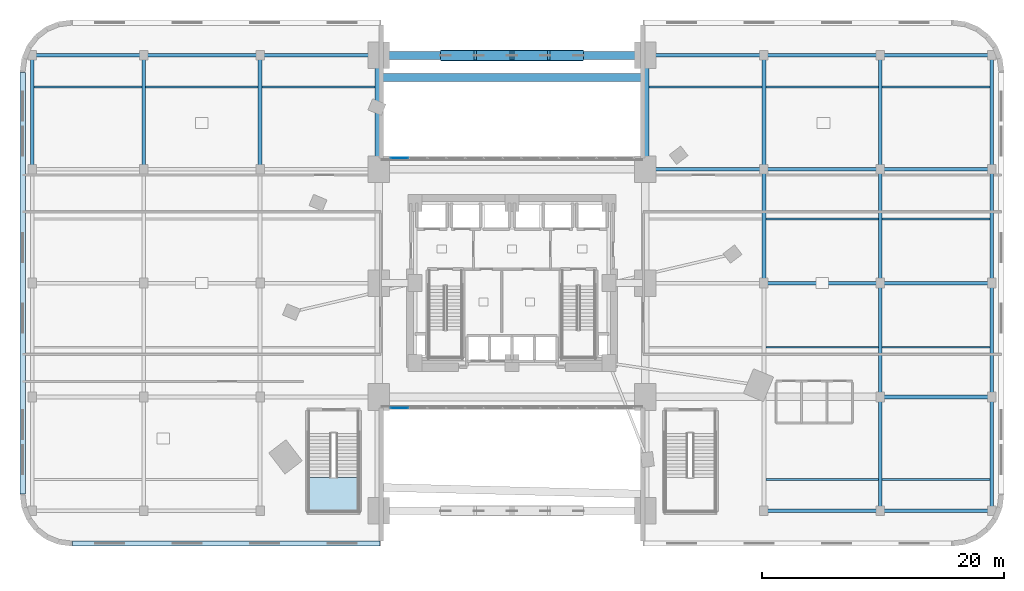
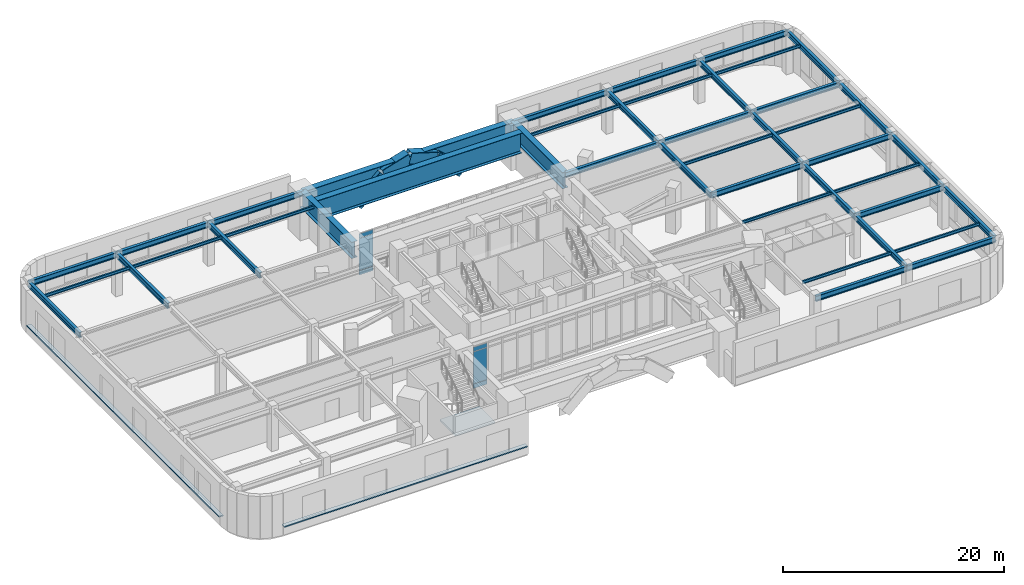
# One storey, part 15 of 25: 43 beams, 8 plates, 4 members, 1 slab, 3 elements without a shape of their own.
"""IFC4 building model written with IfcOpenShell, lengths in metres."""

from ifc_helpers import new_model, si_unit, direction, frame, origin, origin_2d, place, context, subcontext, project, spatial, polyline, rectangle, hollow_rectangle, i_section, outline, extrude, material, layer, layer_set, material_profile, profile_set, type_object, element, aggregate, save


model = new_model("IFC4")

# Units and contexts
model_context = context("Model", 3, precision=1e-05, world=origin(), true_north=direction((0.0, 1.0)))
body_context = subcontext(model_context, "Body", "Model", "MODEL_VIEW")
ifc_project = project(units=[si_unit("LENGTHUNIT", "METRE"), si_unit("AREAUNIT", "SQUARE_METRE"), si_unit("VOLUMEUNIT", "CUBIC_METRE"), si_unit("PLANEANGLEUNIT", "RADIAN"), si_unit("MASSUNIT", "GRAM", prefix="KILO")], contexts=[model_context])

# Site, building, storey
site_placement = place(None, origin())
site = spatial("IfcSite", under=ifc_project, at=site_placement, CompositionType="ELEMENT")
building_placement = place(site_placement, origin())
building = spatial("IfcBuilding", under=site, at=building_placement, Name="Ndelora Gate Hotel", CompositionType="ELEMENT")
storey_placement = place(building_placement, frame((0.0, 0.0, 11.0)))
storey = spatial("IfcBuildingStorey", under=building, at=storey_placement, Name="L02", CompositionType="ELEMENT", Elevation=11.0)

# Beams
ifc_material_1 = material(Name="Steel S355", Category="steel")
ifc_material_profile_1 = material_profile(ifc_material_1, i_section(OverallWidth=0.159912109375, OverallDepth=0.330078125, WebThickness=0.007568359375, FlangeThickness=0.011474609375, FilletRadius=0.01806640625, at=origin_2d()), Name="IPE 330")
ifc_profile_set_1 = profile_set([ifc_material_profile_1], Name="Steel S355")
beam_type_1 = type_object("IfcBeamType", Name="BM-JST-330", PredefinedType="JOIST", material=ifc_profile_set_1)
beam_1_placement = place(storey_placement, frame((20.949951171875, -16.199951171875, 4.4951171875), z_axis=(1.0, 0.0, 0.0), x_axis=(0.0, 1.0, 0.0)))
element("IfcBeam", 1, at=beam_1_placement, inside=storey, type_object=beam_type_1, Name="L02 Podium Composite Secondary Joist 6", PredefinedType="JOIST", context=body_context, shape_type="SweptSolid", body=[
    extrude(i_section(OverallWidth=0.159912109375, OverallDepth=0.330078125, WebThickness=0.007568359375, FlangeThickness=0.011474609375, FilletRadius=0.01806640625, at=origin_2d()), origin(), (0.0, 0.0, 1.0), 9.300048828125),
])
beam_2_placement = place(storey_placement, frame((30.550048828125, -16.199951171875, 4.4951171875), z_axis=(1.0, 0.0, 0.0), x_axis=(0.0, 1.0, 0.0)))
element("IfcBeam", 2, at=beam_2_placement, inside=storey, type_object=beam_type_1, Name="L02 Podium Composite Secondary Joist 7", PredefinedType="JOIST", context=body_context, shape_type="SweptSolid", body=[
    extrude(i_section(OverallWidth=0.159912109375, OverallDepth=0.330078125, WebThickness=0.007568359375, FlangeThickness=0.011474609375, FilletRadius=0.01806640625, at=origin_2d()), origin(), (0.0, 0.0, 1.0), 8.89990234375),
])
beam_3_placement = place(storey_placement, frame((20.949951171875, -5.300048828125, 4.4951171875), z_axis=(1.0, 0.0, 0.0), x_axis=(0.0, 1.0, 0.0)))
element("IfcBeam", 3, at=beam_3_placement, inside=storey, type_object=beam_type_1, Name="L02 Podium Composite Secondary Joist 6", PredefinedType="JOIST", context=body_context, shape_type="SweptSolid", body=[
    extrude(i_section(OverallWidth=0.159912109375, OverallDepth=0.330078125, WebThickness=0.007568359375, FlangeThickness=0.011474609375, FilletRadius=0.01806640625, at=origin_2d()), origin(), (0.0, 0.0, 1.0), 9.300048828125),
])
beam_4_placement = place(storey_placement, frame((30.550048828125, -5.300048828125, 4.4951171875), z_axis=(1.0, 0.0, 0.0), x_axis=(0.0, 1.0, 0.0)))
element("IfcBeam", 4, at=beam_4_placement, inside=storey, type_object=beam_type_1, Name="L02 Podium Composite Secondary Joist 7", PredefinedType="JOIST", context=body_context, shape_type="SweptSolid", body=[
    extrude(i_section(OverallWidth=0.159912109375, OverallDepth=0.330078125, WebThickness=0.007568359375, FlangeThickness=0.011474609375, FilletRadius=0.01806640625, at=origin_2d()), origin(), (0.0, 0.0, 1.0), 8.89990234375),
])
beam_5_placement = place(storey_placement, frame((20.949951171875, 5.300048828125, 4.4951171875), z_axis=(1.0, 0.0, 0.0), x_axis=(0.0, 1.0, 0.0)))
element("IfcBeam", 5, at=beam_5_placement, inside=storey, type_object=beam_type_1, Name="L02 Podium Composite Secondary Joist 6", PredefinedType="JOIST", context=body_context, shape_type="SweptSolid", body=[
    extrude(i_section(OverallWidth=0.159912109375, OverallDepth=0.330078125, WebThickness=0.007568359375, FlangeThickness=0.011474609375, FilletRadius=0.01806640625, at=origin_2d()), origin(), (0.0, 0.0, 1.0), 9.300048828125),
])
for number, where, z_axis, x_axis, name in (
    (6, (30.550048828125, 5.300048828125, 4.4951171875), (1.0, 0.0, 0.0), (0.0, 1.0, 0.0), "L02 Podium Composite Secondary Joist 7"),
    (7, (-39.449951171875, 16.199951171875, 4.4951171875), (1.0, 0.0, 0.0), (0.0, 1.0, 0.0), "L02 Podium Composite Secondary Joist 1"),
):
    element("IfcBeam", number, at=place(storey_placement, frame(where, z_axis=z_axis, x_axis=x_axis)), inside=storey, type_object=beam_type_1, Name=name, PredefinedType="JOIST", context=body_context, shape_type="SweptSolid", body=[
        extrude(i_section(OverallWidth=0.159912109375, OverallDepth=0.330078125, WebThickness=0.007568359375, FlangeThickness=0.011474609375, FilletRadius=0.01806640625, at=origin_2d()), origin(), (0.0, 0.0, 1.0), 8.89990234375),
    ])
beam_6_placement = place(storey_placement, frame((-30.25, 16.199951171875, 4.4951171875), z_axis=(1.0, 0.0, 0.0), x_axis=(0.0, 1.0, 0.0)))
element("IfcBeam", 8, at=beam_6_placement, inside=storey, type_object=beam_type_1, Name="L02 Podium Composite Secondary Joist 2", PredefinedType="JOIST", context=body_context, shape_type="SweptSolid", body=[
    extrude(i_section(OverallWidth=0.159912109375, OverallDepth=0.330078125, WebThickness=0.007568359375, FlangeThickness=0.011474609375, FilletRadius=0.01806640625, at=origin_2d()), origin(), (0.0, 0.0, 1.0), 9.300048828125),
])
for number, where, z_axis, x_axis, name in (
    (9, (-20.64990234375, 16.199951171875, 4.4951171875), (1.0, 0.0, 0.0), (0.0, 1.0, 0.0), "L02 Podium Composite Secondary Joist 3"),
    (10, (11.300048828125, 16.199951171875, 4.4951171875), (1.0, 0.0, 0.0), (0.0, 1.0, 0.0), "L02 Podium Composite Secondary Joist 5"),
):
    element("IfcBeam", number, at=place(storey_placement, frame(where, z_axis=z_axis, x_axis=x_axis)), inside=storey, type_object=beam_type_1, Name=name, PredefinedType="JOIST", context=body_context, shape_type="SweptSolid", body=[
        extrude(i_section(OverallWidth=0.159912109375, OverallDepth=0.330078125, WebThickness=0.007568359375, FlangeThickness=0.011474609375, FilletRadius=0.01806640625, at=origin_2d()), origin(), (0.0, 0.0, 1.0), 9.349853515625),
    ])
beam_7_placement = place(storey_placement, frame((20.949951171875, 16.199951171875, 4.4951171875), z_axis=(1.0, 0.0, 0.0), x_axis=(0.0, 1.0, 0.0)))
element("IfcBeam", 11, at=beam_7_placement, inside=storey, type_object=beam_type_1, Name="L02 Podium Composite Secondary Joist 6", PredefinedType="JOIST", context=body_context, shape_type="SweptSolid", body=[
    extrude(i_section(OverallWidth=0.159912109375, OverallDepth=0.330078125, WebThickness=0.007568359375, FlangeThickness=0.011474609375, FilletRadius=0.01806640625, at=origin_2d()), origin(), (0.0, 0.0, 1.0), 9.300048828125),
])
beam_8_placement = place(storey_placement, frame((30.550048828125, 16.199951171875, 4.4951171875), z_axis=(1.0, 0.0, 0.0), x_axis=(0.0, 1.0, 0.0)))
element("IfcBeam", 12, at=beam_8_placement, inside=storey, type_object=beam_type_1, Name="L02 Podium Composite Secondary Joist 7", PredefinedType="JOIST", context=body_context, shape_type="SweptSolid", body=[
    extrude(i_section(OverallWidth=0.159912109375, OverallDepth=0.330078125, WebThickness=0.007568359375, FlangeThickness=0.011474609375, FilletRadius=0.01806640625, at=origin_2d()), origin(), (0.0, 0.0, 1.0), 8.89990234375),
])
ifc_material_profile_2 = material_profile(ifc_material_1, i_section(OverallWidth=0.300048828125, OverallDepth=0.60009765625, WebThickness=0.015380859375, FlangeThickness=0.030029296875, FilletRadius=0.027099609375, at=origin_2d()), Name="HEB 600")
ifc_profile_set_2 = profile_set([ifc_material_profile_2], Name="Steel S355")
beam_type_2 = type_object("IfcBeamType", Name="BM-POD-600", PredefinedType="BEAM", material=ifc_profile_set_2)
for number, where, z_axis, x_axis, name in (
    (13, (-39.60009765625, 9.39990234375, 4.360107421875), (0.0, 1.0, 0.0), (-1.0, 0.0, 0.0), "L02 Podium Longitudinal Girder X=-39.6"),
    (14, (-30.39990234375, 9.39990234375, 4.360107421875), (0.0, 1.0, 0.0), (-1.0, 0.0, 0.0), "L02 Podium Longitudinal Girder X=-30.4"),
    (15, (-20.800048828125, 9.39990234375, 4.360107421875), (0.0, 1.0, 0.0), (-1.0, 0.0, 0.0), "L02 Podium Longitudinal Girder X=-20.8"),
):
    element("IfcBeam", number, at=place(storey_placement, frame(where, z_axis=z_axis, x_axis=x_axis)), inside=storey, type_object=beam_type_2, Name=name, PredefinedType="BEAM", context=body_context, shape_type="SweptSolid", body=[
        extrude(i_section(OverallWidth=0.300048828125, OverallDepth=0.60009765625, WebThickness=0.015380859375, FlangeThickness=0.030029296875, FilletRadius=0.027099609375, at=origin_2d()), origin(), (0.0, 0.0, 1.0), 9.400146484375),
    ])
beam_9_placement = place(storey_placement, frame((20.800048828125, 0.0, 4.360107421875), z_axis=(0.0, 1.0, 0.0), x_axis=(-1.0, 0.0, 0.0)))
element("IfcBeam", 16, at=beam_9_placement, inside=storey, type_object=beam_type_2, Name="L02 Podium Longitudinal Girder X=+20.8", PredefinedType="BEAM", context=body_context, shape_type="SweptSolid", body=[
    extrude(i_section(OverallWidth=0.300048828125, OverallDepth=0.60009765625, WebThickness=0.015380859375, FlangeThickness=0.030029296875, FilletRadius=0.027099609375, at=origin_2d()), origin(), (0.0, 0.0, 1.0), 9.39990234375),
])
for number, where, z_axis, x_axis, name in (
    (17, (20.800048828125, 9.39990234375, 4.360107421875), (0.0, 1.0, 0.0), (-1.0, 0.0, 0.0), "L02 Podium Longitudinal Girder X=+20.8"),
    (18, (30.39990234375, -18.800048828125, 4.360107421875), (0.0, 1.0, 0.0), (-1.0, 0.0, 0.0), "L02 Podium Longitudinal Girder X=+30.4"),
):
    element("IfcBeam", number, at=place(storey_placement, frame(where, z_axis=z_axis, x_axis=x_axis)), inside=storey, type_object=beam_type_2, Name=name, PredefinedType="BEAM", context=body_context, shape_type="SweptSolid", body=[
        extrude(i_section(OverallWidth=0.300048828125, OverallDepth=0.60009765625, WebThickness=0.015380859375, FlangeThickness=0.030029296875, FilletRadius=0.027099609375, at=origin_2d()), origin(), (0.0, 0.0, 1.0), 9.400146484375),
    ])
for number, where, z_axis, x_axis, name in (
    (19, (30.39990234375, -9.39990234375, 4.360107421875), (0.0, 1.0, 0.0), (-1.0, 0.0, 0.0), "L02 Podium Longitudinal Girder X=+30.4"),
    (20, (30.39990234375, 0.0, 4.360107421875), (0.0, 1.0, 0.0), (-1.0, 0.0, 0.0), "L02 Podium Longitudinal Girder X=+30.4"),
):
    element("IfcBeam", number, at=place(storey_placement, frame(where, z_axis=z_axis, x_axis=x_axis)), inside=storey, type_object=beam_type_2, Name=name, PredefinedType="BEAM", context=body_context, shape_type="SweptSolid", body=[
        extrude(i_section(OverallWidth=0.300048828125, OverallDepth=0.60009765625, WebThickness=0.015380859375, FlangeThickness=0.030029296875, FilletRadius=0.027099609375, at=origin_2d()), origin(), (0.0, 0.0, 1.0), 9.39990234375),
    ])
for number, where, z_axis, x_axis, name in (
    (21, (30.39990234375, 9.39990234375, 4.360107421875), (0.0, 1.0, 0.0), (-1.0, 0.0, 0.0), "L02 Podium Longitudinal Girder X=+30.4"),
    (22, (39.60009765625, -18.800048828125, 4.360107421875), (0.0, 1.0, 0.0), (-1.0, 0.0, 0.0), "L02 Podium Longitudinal Girder X=+39.6"),
):
    element("IfcBeam", number, at=place(storey_placement, frame(where, z_axis=z_axis, x_axis=x_axis)), inside=storey, type_object=beam_type_2, Name=name, PredefinedType="BEAM", context=body_context, shape_type="SweptSolid", body=[
        extrude(i_section(OverallWidth=0.300048828125, OverallDepth=0.60009765625, WebThickness=0.015380859375, FlangeThickness=0.030029296875, FilletRadius=0.027099609375, at=origin_2d()), origin(), (0.0, 0.0, 1.0), 9.400146484375),
    ])
for number, where, z_axis, x_axis, name in (
    (23, (39.60009765625, -9.39990234375, 4.360107421875), (0.0, 1.0, 0.0), (-1.0, 0.0, 0.0), "L02 Podium Longitudinal Girder X=+39.6"),
    (24, (39.60009765625, 0.0, 4.360107421875), (0.0, 1.0, 0.0), (-1.0, 0.0, 0.0), "L02 Podium Longitudinal Girder X=+39.6"),
):
    element("IfcBeam", number, at=place(storey_placement, frame(where, z_axis=z_axis, x_axis=x_axis)), inside=storey, type_object=beam_type_2, Name=name, PredefinedType="BEAM", context=body_context, shape_type="SweptSolid", body=[
        extrude(i_section(OverallWidth=0.300048828125, OverallDepth=0.60009765625, WebThickness=0.015380859375, FlangeThickness=0.030029296875, FilletRadius=0.027099609375, at=origin_2d()), origin(), (0.0, 0.0, 1.0), 9.39990234375),
    ])
beam_10_placement = place(storey_placement, frame((39.60009765625, 9.39990234375, 4.360107421875), z_axis=(0.0, 1.0, 0.0), x_axis=(-1.0, 0.0, 0.0)))
element("IfcBeam", 25, at=beam_10_placement, inside=storey, type_object=beam_type_2, Name="L02 Podium Longitudinal Girder X=+39.6", PredefinedType="BEAM", context=body_context, shape_type="SweptSolid", body=[
    extrude(i_section(OverallWidth=0.300048828125, OverallDepth=0.60009765625, WebThickness=0.015380859375, FlangeThickness=0.030029296875, FilletRadius=0.027099609375, at=origin_2d()), origin(), (0.0, 0.0, 1.0), 9.400146484375),
])
beam_11_placement = place(storey_placement, frame((20.800048828125, -18.800048828125, 4.360107421875), z_axis=(1.0, 0.0, 0.0), x_axis=(0.0, 1.0, 0.0)))
element("IfcBeam", 26, at=beam_11_placement, inside=storey, type_object=beam_type_2, Name="L02 Podium Transverse Girder Y=-18.8", PredefinedType="BEAM", context=body_context, shape_type="SweptSolid", body=[
    extrude(i_section(OverallWidth=0.300048828125, OverallDepth=0.60009765625, WebThickness=0.015380859375, FlangeThickness=0.030029296875, FilletRadius=0.027099609375, at=origin_2d()), origin(), (0.0, 0.0, 1.0), 9.599853515625),
])
for number, where, z_axis, x_axis, name in (
    (27, (30.39990234375, -18.800048828125, 4.360107421875), (1.0, 0.0, 0.0), (0.0, 1.0, 0.0), "L02 Podium Transverse Girder Y=-18.8"),
    (28, (30.39990234375, -9.39990234375, 4.360107421875), (1.0, 0.0, 0.0), (0.0, 1.0, 0.0), "L02 Podium Transverse Girder Y=-9.4"),
):
    element("IfcBeam", number, at=place(storey_placement, frame(where, z_axis=z_axis, x_axis=x_axis)), inside=storey, type_object=beam_type_2, Name=name, PredefinedType="BEAM", context=body_context, shape_type="SweptSolid", body=[
        extrude(i_section(OverallWidth=0.300048828125, OverallDepth=0.60009765625, WebThickness=0.015380859375, FlangeThickness=0.030029296875, FilletRadius=0.027099609375, at=origin_2d()), origin(), (0.0, 0.0, 1.0), 9.2001953125),
    ])
beam_12_placement = place(storey_placement, frame((20.800048828125, 0.0, 4.360107421875), z_axis=(1.0, 0.0, 0.0), x_axis=(0.0, 1.0, 0.0)))
element("IfcBeam", 29, at=beam_12_placement, inside=storey, type_object=beam_type_2, Name="L02 Podium Transverse Girder Y=+0.0", PredefinedType="BEAM", context=body_context, shape_type="SweptSolid", body=[
    extrude(i_section(OverallWidth=0.300048828125, OverallDepth=0.60009765625, WebThickness=0.015380859375, FlangeThickness=0.030029296875, FilletRadius=0.027099609375, at=origin_2d()), origin(), (0.0, 0.0, 1.0), 9.599853515625),
])
beam_13_placement = place(storey_placement, frame((30.39990234375, 0.0, 4.360107421875), z_axis=(1.0, 0.0, 0.0), x_axis=(0.0, 1.0, 0.0)))
element("IfcBeam", 30, at=beam_13_placement, inside=storey, type_object=beam_type_2, Name="L02 Podium Transverse Girder Y=+0.0", PredefinedType="BEAM", context=body_context, shape_type="SweptSolid", body=[
    extrude(i_section(OverallWidth=0.300048828125, OverallDepth=0.60009765625, WebThickness=0.015380859375, FlangeThickness=0.030029296875, FilletRadius=0.027099609375, at=origin_2d()), origin(), (0.0, 0.0, 1.0), 9.2001953125),
])
beam_14_placement = place(storey_placement, frame((11.0, 9.39990234375, 4.360107421875), z_axis=(1.0, 0.0, 0.0), x_axis=(0.0, 1.0, 0.0)))
element("IfcBeam", 31, at=beam_14_placement, inside=storey, type_object=beam_type_2, Name="L02 Podium Transverse Girder Y=+9.4", PredefinedType="BEAM", context=body_context, shape_type="SweptSolid", body=[
    extrude(i_section(OverallWidth=0.300048828125, OverallDepth=0.60009765625, WebThickness=0.015380859375, FlangeThickness=0.030029296875, FilletRadius=0.027099609375, at=origin_2d()), origin(), (0.0, 0.0, 1.0), 9.800048828125),
])
beam_15_placement = place(storey_placement, frame((20.800048828125, 9.39990234375, 4.360107421875), z_axis=(1.0, 0.0, 0.0), x_axis=(0.0, 1.0, 0.0)))
element("IfcBeam", 32, at=beam_15_placement, inside=storey, type_object=beam_type_2, Name="L02 Podium Transverse Girder Y=+9.4", PredefinedType="BEAM", context=body_context, shape_type="SweptSolid", body=[
    extrude(i_section(OverallWidth=0.300048828125, OverallDepth=0.60009765625, WebThickness=0.015380859375, FlangeThickness=0.030029296875, FilletRadius=0.027099609375, at=origin_2d()), origin(), (0.0, 0.0, 1.0), 9.599853515625),
])
for number, where, z_axis, x_axis, name in (
    (33, (30.39990234375, 9.39990234375, 4.360107421875), (1.0, 0.0, 0.0), (0.0, 1.0, 0.0), "L02 Podium Transverse Girder Y=+9.4"),
    (34, (-39.60009765625, 18.800048828125, 4.360107421875), (1.0, 0.0, 0.0), (0.0, 1.0, 0.0), "L02 Podium Transverse Girder Y=+18.8"),
):
    element("IfcBeam", number, at=place(storey_placement, frame(where, z_axis=z_axis, x_axis=x_axis)), inside=storey, type_object=beam_type_2, Name=name, PredefinedType="BEAM", context=body_context, shape_type="SweptSolid", body=[
        extrude(i_section(OverallWidth=0.300048828125, OverallDepth=0.60009765625, WebThickness=0.015380859375, FlangeThickness=0.030029296875, FilletRadius=0.027099609375, at=origin_2d()), origin(), (0.0, 0.0, 1.0), 9.2001953125),
    ])
beam_16_placement = place(storey_placement, frame((-30.39990234375, 18.800048828125, 4.360107421875), z_axis=(1.0, 0.0, 0.0), x_axis=(0.0, 1.0, 0.0)))
element("IfcBeam", 35, at=beam_16_placement, inside=storey, type_object=beam_type_2, Name="L02 Podium Transverse Girder Y=+18.8", PredefinedType="BEAM", context=body_context, shape_type="SweptSolid", body=[
    extrude(i_section(OverallWidth=0.300048828125, OverallDepth=0.60009765625, WebThickness=0.015380859375, FlangeThickness=0.030029296875, FilletRadius=0.027099609375, at=origin_2d()), origin(), (0.0, 0.0, 1.0), 9.599853515625),
])
for number, where, z_axis, x_axis, name in (
    (36, (-20.800048828125, 18.800048828125, 4.360107421875), (1.0, 0.0, 0.0), (0.0, 1.0, 0.0), "L02 Podium Transverse Girder Y=+18.8"),
    (37, (11.0, 18.800048828125, 4.360107421875), (1.0, 0.0, 0.0), (0.0, 1.0, 0.0), "L02 Podium Transverse Girder Y=+18.8"),
):
    element("IfcBeam", number, at=place(storey_placement, frame(where, z_axis=z_axis, x_axis=x_axis)), inside=storey, type_object=beam_type_2, Name=name, PredefinedType="BEAM", context=body_context, shape_type="SweptSolid", body=[
        extrude(i_section(OverallWidth=0.300048828125, OverallDepth=0.60009765625, WebThickness=0.015380859375, FlangeThickness=0.030029296875, FilletRadius=0.027099609375, at=origin_2d()), origin(), (0.0, 0.0, 1.0), 9.800048828125),
    ])
beam_17_placement = place(storey_placement, frame((20.800048828125, 18.800048828125, 4.360107421875), z_axis=(1.0, 0.0, 0.0), x_axis=(0.0, 1.0, 0.0)))
element("IfcBeam", 38, at=beam_17_placement, inside=storey, type_object=beam_type_2, Name="L02 Podium Transverse Girder Y=+18.8", PredefinedType="BEAM", context=body_context, shape_type="SweptSolid", body=[
    extrude(i_section(OverallWidth=0.300048828125, OverallDepth=0.60009765625, WebThickness=0.015380859375, FlangeThickness=0.030029296875, FilletRadius=0.027099609375, at=origin_2d()), origin(), (0.0, 0.0, 1.0), 9.599853515625),
])
beam_18_placement = place(storey_placement, frame((30.39990234375, 18.800048828125, 4.360107421875), z_axis=(1.0, 0.0, 0.0), x_axis=(0.0, 1.0, 0.0)))
element("IfcBeam", 39, at=beam_18_placement, inside=storey, type_object=beam_type_2, Name="L02 Podium Transverse Girder Y=+18.8", PredefinedType="BEAM", context=body_context, shape_type="SweptSolid", body=[
    extrude(i_section(OverallWidth=0.300048828125, OverallDepth=0.60009765625, WebThickness=0.015380859375, FlangeThickness=0.030029296875, FilletRadius=0.027099609375, at=origin_2d()), origin(), (0.0, 0.0, 1.0), 9.2001953125),
])
ifc_material_2 = material(Name="Steel S460", Category="steel")
ifc_material_profile_3 = material_profile(ifc_material_2, i_section(OverallWidth=0.60009765625, OverallDepth=1.800048828125, WebThickness=0.028076171875, FlangeThickness=0.0400390625, FilletRadius=0.02392578125, at=origin_2d()), Name="PG 1800x600x40")
ifc_profile_set_3 = profile_set([ifc_material_profile_3], Name="Steel S460")
beam_type_3 = type_object("IfcBeamType", Name="BM-TR-1800", PredefinedType="BEAM", material=ifc_profile_set_3)
for number, where, z_axis, x_axis, name in (
    (40, (-11.0, 9.39990234375, 3.760009765625), (0.0, 1.0, 0.0), (-1.0, 0.0, 0.0), "L02 Podium Longitudinal Girder X=-11.0"),
    (41, (11.0, 9.39990234375, 3.760009765625), (0.0, 1.0, 0.0), (-1.0, 0.0, 0.0), "L02 Podium Longitudinal Girder X=+11.0"),
):
    element("IfcBeam", number, at=place(storey_placement, frame(where, z_axis=z_axis, x_axis=x_axis)), inside=storey, type_object=beam_type_3, Name=name, PredefinedType="BEAM", context=body_context, shape_type="SweptSolid", body=[
        extrude(i_section(OverallWidth=0.60009765625, OverallDepth=1.800048828125, WebThickness=0.028076171875, FlangeThickness=0.0400390625, FilletRadius=0.02392578125, at=origin_2d()), origin(), (0.0, 0.0, 1.0), 9.400146484375),
    ])
ifc_material_profile_4 = material_profile(ifc_material_2, i_section(OverallWidth=0.64990234375, OverallDepth=2.199951171875, WebThickness=0.030029296875, FlangeThickness=0.0400390625, FilletRadius=0.02392578125, at=origin_2d()), Name="PG 2200x650x40")
ifc_profile_set_4 = profile_set([ifc_material_profile_4], Name="Steel S460")
beam_type_4 = type_object("IfcBeamType", Name="BM-TR-2200", PredefinedType="BEAM", material=ifc_profile_set_4)
beam_19_placement = place(storey_placement, frame((-10.699951171875, 16.96630859375, 3.56005859375), z_axis=(1.0, 0.0, 0.0), x_axis=(0.0, 1.0, 0.0)))
element("IfcBeam", 42, at=beam_19_placement, inside=storey, type_object=beam_type_4, Name="L02 Portal Arch North Tower Root Transfer Girder", PredefinedType="BEAM", context=body_context, shape_type="SweptSolid", body=[
    extrude(i_section(OverallWidth=0.64990234375, OverallDepth=2.199951171875, WebThickness=0.030029296875, FlangeThickness=0.0400390625, FilletRadius=0.02392578125, at=origin_2d()), origin(), (0.0, 0.0, 1.0), 21.39990234375),
])
beam_20_placement = place(storey_placement, frame((-11.0, 18.800048828125, 3.56005859375), z_axis=(1.0, 0.0, 0.0), x_axis=(0.0, 1.0, 0.0)))
element("IfcBeam", 43, at=beam_20_placement, inside=storey, type_object=beam_type_4, Name="L02 structural beam TG-0", PredefinedType="BEAM", context=body_context, shape_type="SweptSolid", body=[
    extrude(i_section(OverallWidth=0.64990234375, OverallDepth=2.199951171875, WebThickness=0.030029296875, FlangeThickness=0.0400390625, FilletRadius=0.02392578125, at=origin_2d()), origin(), (0.0, 0.0, 1.0), 22.0),
])

# Members
ifc_material_profile_5 = material_profile(ifc_material_2, hollow_rectangle(XDim=0.89990234375, YDim=1.199951171875, WallThickness=0.035888671875, InnerFilletRadius=0.035888671875, OuterFilletRadius=0.072021484375, at=origin_2d()), Name="BOX 1200x900x36")
ifc_profile_set_5 = profile_set([ifc_material_profile_5], Name="Steel S460")
member_type = type_object("IfcMemberType", Name="MB-ARCH-RIB2", PredefinedType="CHORD", material=ifc_profile_set_5)
member_1_placement = place(storey_placement, frame((-5.5, 18.800048828125, 1.175048828125), z_axis=(0.740790573247, 0.0, 0.671736054257), x_axis=(0.0, 1.0, 0.0)))
element("IfcMember", 44, at=member_1_placement, inside=storey, type_object=member_type, Name="Portal Arch Parabolic Rib N-3", PredefinedType="CHORD", context=body_context, shape_type="SweptSolid", body=[
    extrude(hollow_rectangle(XDim=0.89990234375, YDim=1.199951171875, WallThickness=0.035888671875, InnerFilletRadius=0.035888671875, OuterFilletRadius=0.072021484375, at=origin_2d()), origin(), (0.0, 0.0, 1.0), 3.712158203125),
])
for number, where, z_axis, x_axis, name in (
    (45, (-2.75, 18.800048828125, 3.668701171875), (0.957220733393, 0.0, 0.289358717792), (0.0, 1.0, 0.0), "Portal Arch Parabolic Rib N-4"),
    (46, (0.0, 18.800048828125, 4.5), (0.957220733393, 0.0, -0.289358717792), (0.0, 1.0, 0.0), "Portal Arch Parabolic Rib N-5"),
):
    element("IfcMember", number, at=place(storey_placement, frame(where, z_axis=z_axis, x_axis=x_axis)), inside=storey, type_object=member_type, Name=name, PredefinedType="CHORD", context=body_context, shape_type="SweptSolid", body=[
        extrude(hollow_rectangle(XDim=0.89990234375, YDim=1.199951171875, WallThickness=0.035888671875, InnerFilletRadius=0.035888671875, OuterFilletRadius=0.072021484375, at=origin_2d()), origin(), (0.0, 0.0, 1.0), 2.872802734375),
    ])
member_2_placement = place(storey_placement, frame((2.75, 18.800048828125, 3.668701171875), z_axis=(0.740790573247, 0.0, -0.671736054257), x_axis=(0.0, 1.0, 0.0)))
element("IfcMember", 47, at=member_2_placement, inside=storey, type_object=member_type, Name="Portal Arch Parabolic Rib N-6", PredefinedType="CHORD", context=body_context, shape_type="SweptSolid", body=[
    extrude(hollow_rectangle(XDim=0.89990234375, YDim=1.199951171875, WallThickness=0.035888671875, InnerFilletRadius=0.035888671875, OuterFilletRadius=0.072021484375, at=origin_2d()), origin(), (0.0, 0.0, 1.0), 3.712158203125),
])

# Curtain wall, plates
ifc_material_3 = material(Name="Bronze Anodised Unitised Aluminium and Low-E Glass", Category="aluminium")
ifc_layer_1 = layer(ifc_material_3, 0.239990234375)
ifc_layer_set_1 = layer_set([ifc_layer_1], Name="Bronze Anodised Unitised Aluminium and Low-E Glass")
curtain_wall_type = type_object("IfcCurtainWallType", Name="CW-SYS-1", PredefinedType="NOTDEFINED", material=ifc_layer_set_1)
curtain_wall_1_placement = place(storey_placement, origin())
curtain_wall_1 = element("IfcCurtainWall", 48, at=curtain_wall_1_placement, inside=storey, type_object=curtain_wall_type, Name="L02 South Portal Arch Concourse Curtain Wall CW1", PredefinedType="NOTDEFINED")
ifc_material_4 = material(Name="Solar-Control Low-E Insulated Glazing", Category="glass")
ifc_layer_2 = layer(ifc_material_4, 0.048095703125)
ifc_layer_set_2 = layer_set([ifc_layer_2], Name="Solar-Control Low-E Insulated Glazing")
plate_type_1 = type_object("IfcPlateType", Name="PL-CW-GLZ36", PredefinedType="CURTAIN_PANEL", material=ifc_layer_set_2)
plate_1_placement = place(storey_placement, frame((-9.287109375, -10.320068359375, 0.05908203125), z_axis=(0.0, 0.0, 1.0), x_axis=(1.0, 0.0, 0.0)))
plate_1 = element("IfcPlate", 49, at=plate_1_placement, type_object=plate_type_1, Name="CW1 panel 1.1", PredefinedType="CURTAIN_PANEL", context=body_context, shape_type="SweptSolid", body=[
    extrude(rectangle(XDim=1.457763671875, YDim=0.048095703125, at=origin_2d()), origin(), (0.0, 0.0, 1.0), 0.464599609375),
])
plate_2_placement = place(storey_placement, frame((-9.287109375, -10.320068359375, 0.57666015625), z_axis=(0.0, 0.0, 1.0), x_axis=(1.0, 0.0, 0.0)))
plate_2 = element("IfcPlate", 50, at=plate_2_placement, type_object=plate_type_1, Name="CW1 panel 1.2", PredefinedType="CURTAIN_PANEL", context=body_context, shape_type="SweptSolid", body=[
    extrude(rectangle(XDim=1.457763671875, YDim=0.048095703125, at=origin_2d()), origin(), (0.0, 0.0, 1.0), 3.507080078125),
])
plate_3_placement = place(storey_placement, frame((-9.287109375, -10.320068359375, 4.13623046875), z_axis=(0.0, 0.0, 1.0), x_axis=(1.0, 0.0, 0.0)))
plate_3 = element("IfcPlate", 51, at=plate_3_placement, type_object=plate_type_1, Name="CW1 panel 1.3", PredefinedType="CURTAIN_PANEL", context=body_context, shape_type="SweptSolid", body=[
    extrude(rectangle(XDim=1.457763671875, YDim=0.048095703125, at=origin_2d()), origin(), (0.0, 0.0, 1.0), 0.464599609375),
])
aggregate(curtain_wall_1, [plate_1, plate_2, plate_3])

curtain_wall_2_placement = place(storey_placement, origin())
curtain_wall_2 = element("IfcCurtainWall", 52, at=curtain_wall_2_placement, inside=storey, type_object=curtain_wall_type, Name="L02 North Portal Arch Concourse Curtain Wall CW1", PredefinedType="NOTDEFINED")
plate_4_placement = place(storey_placement, frame((-9.287109375, 10.320068359375, 0.05908203125), z_axis=(0.0, 0.0, 1.0), x_axis=(-1.0, 0.0, 0.0)))
plate_4 = element("IfcPlate", 53, at=plate_4_placement, type_object=plate_type_1, Name="CW1 panel 13.1", PredefinedType="CURTAIN_PANEL", context=body_context, shape_type="SweptSolid", body=[
    extrude(rectangle(XDim=1.457763671875, YDim=0.048095703125, at=origin_2d()), origin(), (0.0, 0.0, 1.0), 0.464599609375),
])
plate_5_placement = place(storey_placement, frame((-9.287109375, 10.320068359375, 0.57666015625), z_axis=(0.0, 0.0, 1.0), x_axis=(-1.0, 0.0, 0.0)))
plate_5 = element("IfcPlate", 54, at=plate_5_placement, type_object=plate_type_1, Name="CW1 panel 13.2", PredefinedType="CURTAIN_PANEL", context=body_context, shape_type="SweptSolid", body=[
    extrude(rectangle(XDim=1.457763671875, YDim=0.048095703125, at=origin_2d()), origin(), (0.0, 0.0, 1.0), 3.507080078125),
])
plate_6_placement = place(storey_placement, frame((-9.287109375, 10.320068359375, 4.13623046875), z_axis=(0.0, 0.0, 1.0), x_axis=(-1.0, 0.0, 0.0)))
plate_6 = element("IfcPlate", 55, at=plate_6_placement, type_object=plate_type_1, Name="CW1 panel 13.3", PredefinedType="CURTAIN_PANEL", context=body_context, shape_type="SweptSolid", body=[
    extrude(rectangle(XDim=1.457763671875, YDim=0.048095703125, at=origin_2d()), origin(), (0.0, 0.0, 1.0), 0.464599609375),
])
aggregate(curtain_wall_2, [plate_4, plate_5, plate_6])

# Plates
ifc_material_5 = material(Name="Precast concrete C40/50", Category="concrete")
ifc_layer_3 = layer(ifc_material_5, 0.125)
ifc_layer_set_3 = layer_set([ifc_layer_3], Name="Precast concrete C40/50")
plate_type_2 = type_object("IfcPlateType", Name="PL-SILL-120", PredefinedType="USERDEFINED", material=ifc_layer_set_3)
plate_7_placement = place(storey_placement, frame((-40.39990234375, 0.0, 0.8173828125), z_axis=(0.0, 0.0, 1.0), x_axis=(0.0, 1.0, 0.0)))
element("IfcPlate", 56, at=plate_7_placement, inside=storey, type_object=plate_type_2, Name="L02 Precast Concrete Ribbon Sill Band 22", ObjectType="RIBBON_SILL", PredefinedType="USERDEFINED", context=body_context, shape_type="SweptSolid", body=[
    extrude(rectangle(XDim=34.800048828125, YDim=0.43994140625, at=origin_2d()), origin(), (0.0, 0.0, 1.0), 0.125),
])
plate_8_placement = place(storey_placement, frame((-23.60009765625, -21.5, 0.8173828125), z_axis=(0.0, 0.0, 1.0), x_axis=(1.0, 0.0, 0.0)))
element("IfcPlate", 57, at=plate_8_placement, inside=storey, type_object=plate_type_2, Name="L02 Precast Concrete Ribbon Sill Band 29", ObjectType="RIBBON_SILL", PredefinedType="USERDEFINED", context=body_context, shape_type="SweptSolid", body=[
    extrude(rectangle(XDim=25.39990234375, YDim=0.43994140625, at=origin_2d()), origin(), (0.0, 0.0, 1.0), 0.125),
])

# Stair, slab
stair_type = type_object("IfcStairType", Name="STR-DOG-POD", PredefinedType="HALF_TURN_STAIR", material=ifc_material_5)
stair_placement = place(storey_placement, origin())
stair = element("IfcStair", 58, at=stair_placement, inside=storey, type_object=stair_type, Name="L02 Podium Ballroom Exit Stair ST3A", PredefinedType="HALF_TURN_STAIR")
ifc_layer_4 = layer(ifc_material_5, 0.219970703125)
ifc_layer_set_4 = layer_set([ifc_layer_4], Name="Precast concrete C40/50")
slab_type = type_object("IfcSlabType", Name="SL-LAND-220", PredefinedType="LANDING", material=ifc_layer_set_4)
slab_placement = place(storey_placement, frame((0.0, 0.0, 2.300048828125)))
slab = element("IfcSlab", 59, at=slab_placement, type_object=slab_type, Name="ST3A landing 1", PredefinedType="LANDING", context=body_context, shape_type="SweptSolid", body=[
    extrude(outline(polyline([(-16.800048828125, -16.0400390625), (-16.800048828125, -18.85009765625), (-12.659912109375, -18.85009765625), (-12.659912109375, -16.0400390625), (-16.800048828125, -16.0400390625)])), origin(), (0.0, 0.0, 1.0), 0.199951171875),
])
aggregate(stair, [slab])

save(model, "model.ifc")
